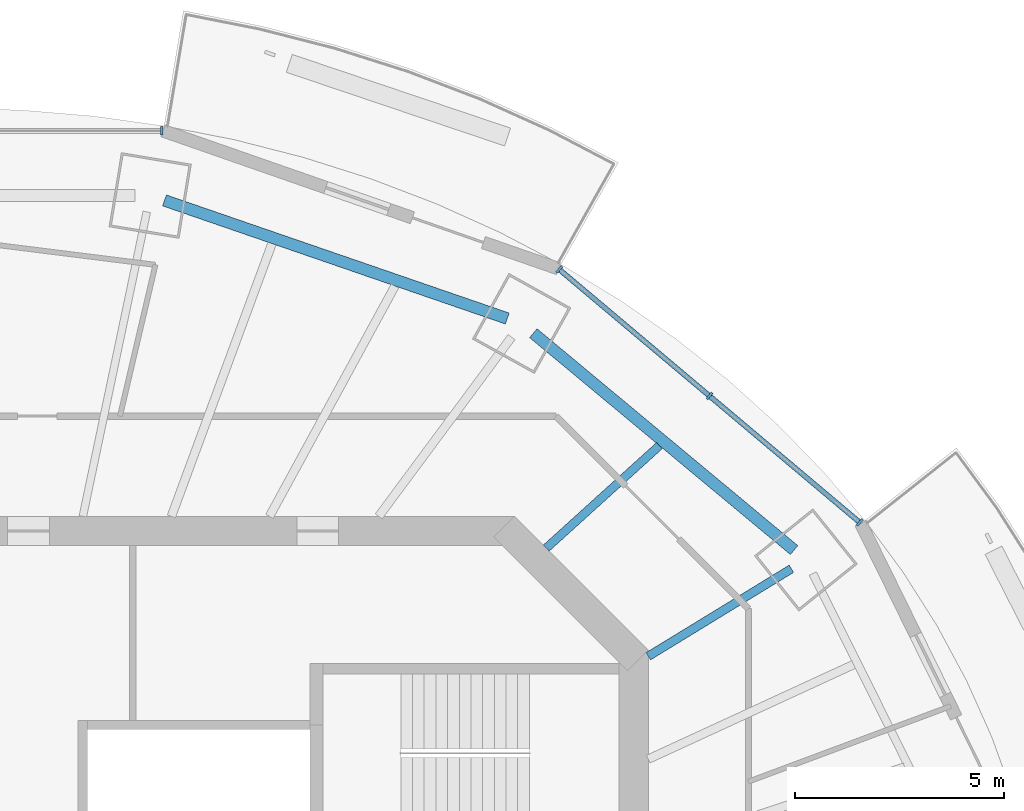
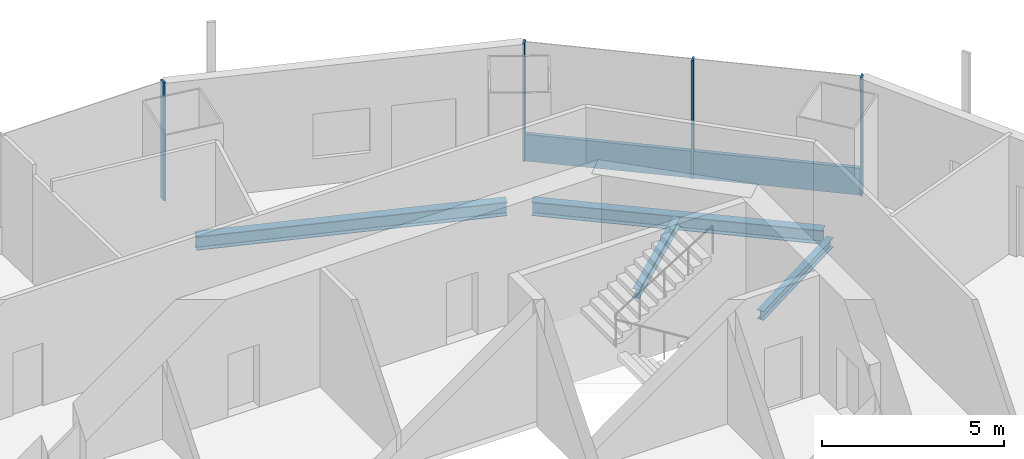
# One storey, part 6 of 16: 5 members, 4 beams, 2 elements without a shape of their own.
"""IFC4 building model written with IfcOpenShell, lengths in metres."""

from ifc_helpers import new_model, si_unit, direction, frame, origin, origin_2d, place, context, subcontext, project, spatial, rectangle, i_section, extrude, material, material_profile, profile_set, type_object, element, aggregate, save


model = new_model("IFC4")

# Units and contexts
model_context = context("Model", 3, precision=1e-05, world=origin(), true_north=direction((0.0, 1.0)))
body_context = subcontext(model_context, "Body", "Model", "MODEL_VIEW")
ifc_project = project(units=[si_unit("LENGTHUNIT", "METRE"), si_unit("AREAUNIT", "SQUARE_METRE"), si_unit("VOLUMEUNIT", "CUBIC_METRE"), si_unit("PLANEANGLEUNIT", "RADIAN"), si_unit("MASSUNIT", "GRAM", prefix="KILO")], contexts=[model_context])

# Site, building, storey
site_placement = place(None, origin())
site = spatial("IfcSite", under=ifc_project, at=site_placement, CompositionType="ELEMENT")
building_placement = place(site_placement, origin())
building = spatial("IfcBuilding", under=site, at=building_placement, Name="Marenthal Gate Tower", CompositionType="ELEMENT")
storey_placement = place(building_placement, frame((0.0, 0.0, 359.199951171875)))
storey = spatial("IfcBuildingStorey", under=building, at=storey_placement, Name="L81", CompositionType="ELEMENT", Elevation=359.199951171875)

# Curtain wall, members
ifc_material_1 = material(Name="Aluminium and glass", Category="aluminium")
curtain_wall_type = type_object("IfcCurtainWallType", Name="Curtain wall typical high", PredefinedType="NOTDEFINED", material=ifc_material_1)
curtain_wall_1_placement = place(storey_placement, origin())
curtain_wall_1 = element("IfcCurtainWall", 1, at=curtain_wall_1_placement, inside=storey, type_object=curtain_wall_type, Name="Curtain wall L81 bay 2", PredefinedType="NOTDEFINED")
ifc_material_2 = material(Name="Aluminium", Category="aluminium")
ifc_material_profile_1 = material_profile(ifc_material_2, rectangle(XDim=0.199951171875, YDim=0.06005859375, at=origin_2d()), Name="60x200 aluminium mullion")
ifc_profile_set_1 = profile_set([ifc_material_profile_1], Name="Aluminium")
member_type_1 = type_object("IfcMemberType", Name="Mullion 60x200 typical high", PredefinedType="MULLION", material=ifc_profile_set_1)
member_1_placement = place(storey_placement, frame((21.41552734375, 13.20361328125, 0.0), z_axis=(0.0, 0.0, 1.0), x_axis=(-0.644022605429, -0.765006459905, 0.0)))
member_1 = element("IfcMember", 2, at=member_1_placement, type_object=member_type_1, Name="Mullion L81 bay 2.1", PredefinedType="MULLION", context=body_context, shape_type="SweptSolid", body=[
    extrude(rectangle(XDim=0.199951171875, YDim=0.06005859375, at=origin_2d()), origin(), (0.0, 0.0, 1.0), 3.969970703125),
])
member_2_placement = place(storey_placement, frame((17.815185546875, 16.234375, 0.0), z_axis=(0.0, 0.0, 1.0), x_axis=(-0.644022605429, -0.765006459905, 0.0)))
member_2 = element("IfcMember", 3, at=member_2_placement, type_object=member_type_1, Name="Mullion L81 bay 2.2", PredefinedType="MULLION", context=body_context, shape_type="SweptSolid", body=[
    extrude(rectangle(XDim=0.199951171875, YDim=0.06005859375, at=origin_2d()), origin(), (0.0, 0.0, 1.0), 3.969970703125),
])
member_3_placement = place(storey_placement, frame((14.215087890625, 19.26513671875, 0.0), z_axis=(0.0, 0.0, 1.0), x_axis=(-0.644022605429, -0.765006459905, 0.0)))
member_3 = element("IfcMember", 4, at=member_3_placement, type_object=member_type_1, Name="Mullion L81 bay 2.3", PredefinedType="MULLION", context=body_context, shape_type="SweptSolid", body=[
    extrude(rectangle(XDim=0.199951171875, YDim=0.06005859375, at=origin_2d()), origin(), (0.0, 0.0, 1.0), 3.969970703125),
])

# Curtain wall, member
curtain_wall_2_placement = place(storey_placement, origin())
curtain_wall_2 = element("IfcCurtainWall", 5, at=curtain_wall_2_placement, inside=storey, type_object=curtain_wall_type, Name="Curtain wall L81 bay 4", PredefinedType="NOTDEFINED")
member_4_placement = place(storey_placement, frame((4.694091796875, 22.586181640625, 0.0), z_axis=(0.0, 0.0, 1.0), x_axis=(0.0, -1.0, 0.0)))
member_4 = element("IfcMember", 6, at=member_4_placement, type_object=member_type_1, Name="Mullion L81 bay 4.1", PredefinedType="MULLION", context=body_context, shape_type="SweptSolid", body=[
    extrude(rectangle(XDim=0.199951171875, YDim=0.06005859375, at=origin_2d()), origin(), (0.0, 0.0, 1.0), 3.969970703125),
])
aggregate(curtain_wall_2, [member_4])

# Member
ifc_material_3 = material(Name="Aluminium", Category="aluminium")
ifc_material_profile_2 = material_profile(ifc_material_3, rectangle(XDim=0.1201171875, YDim=0.89990234375, at=origin_2d()), Name="120x900 aluminium transom")
ifc_profile_set_2 = profile_set([ifc_material_profile_2], Name="Aluminium")
member_type_2 = type_object("IfcMemberType", Name="Transom 120x900 typical high", PredefinedType="USERDEFINED", material=ifc_profile_set_2)
member_5_placement = place(storey_placement, frame((21.392578125, 13.222900390625, 0.449951171875), z_axis=(-0.76501273232, 0.644015154626, 0.0), x_axis=(-0.644015154626, -0.76501273232, 0.0)))
member_5 = element("IfcMember", 7, at=member_5_placement, type_object=member_type_2, Name="Transom L81 bay 2", ObjectType="TRANSOM", PredefinedType="USERDEFINED", context=body_context, shape_type="SweptSolid", body=[
    extrude(rectangle(XDim=0.1201171875, YDim=0.89990234375, at=origin_2d()), origin(), (0.0, 0.0, 1.0), 9.352294921875),
])

aggregate(curtain_wall_1, [member_1, member_2, member_3, member_5])

# Beams
ifc_material_4 = material(Name="Steel S355", Category="steel")
ifc_material_profile_3 = material_profile(ifc_material_4, i_section(OverallWidth=0.202880859375, OverallDepth=0.302001953125, WebThickness=0.007568359375, FlangeThickness=0.01318359375, FilletRadius=0.0126953125, at=origin_2d()), Name="W310X60")
ifc_profile_set_3 = profile_set([ifc_material_profile_3], Name="Steel S355")
beam_type_1 = type_object("IfcBeamType", Name="W310X60 beam", PredefinedType="BEAM", material=ifc_profile_set_3)
beam_1_placement = place(storey_placement, frame((16.614990234375, 15.044189453125, -0.3310546875), z_axis=(-0.741262042513, -0.671215750954, 0.0), x_axis=(0.671215750954, -0.741262042513, 0.0)))
element("IfcBeam", 8, at=beam_1_placement, inside=storey, type_object=beam_type_1, Name="BM-L81-19", PredefinedType="BEAM", context=body_context, shape_type="SweptSolid", body=[
    extrude(i_section(OverallWidth=0.202880859375, OverallDepth=0.302001953125, WebThickness=0.007568359375, FlangeThickness=0.01318359375, FilletRadius=0.0126953125, at=origin_2d()), origin(), (0.0, 0.0, 1.0), 3.65625),
])
ifc_material_5 = material(Name="Steel S355", Category="steel")
ifc_material_profile_4 = material_profile(ifc_material_5, i_section(OverallWidth=0.205078125, OverallDepth=0.31005859375, WebThickness=0.009521484375, FlangeThickness=0.016357421875, FilletRadius=0.0126953125, at=origin_2d()), Name="W310X74")
ifc_profile_set_4 = profile_set([ifc_material_profile_4], Name="Steel S355")
beam_type_2 = type_object("IfcBeamType", Name="W310X74 beam", PredefinedType="BEAM", material=ifc_profile_set_4)
beam_2_placement = place(storey_placement, frame((19.77734375, 12.093994140625, -0.3349609375), z_axis=(-0.853113540312, -0.521725298731, 0.0), x_axis=(0.521725298731, -0.853113540312, 0.0)))
element("IfcBeam", 9, at=beam_2_placement, inside=storey, type_object=beam_type_2, Name="BM-L81-02", PredefinedType="BEAM", context=body_context, shape_type="SweptSolid", body=[
    extrude(i_section(OverallWidth=0.205078125, OverallDepth=0.31005859375, WebThickness=0.009521484375, FlangeThickness=0.016357421875, FilletRadius=0.0126953125, at=origin_2d()), origin(), (0.0, 0.0, 1.0), 4.017333984375),
])
ifc_material_6 = material(Name="Steel S355", Category="steel")
ifc_material_profile_5 = material_profile(ifc_material_6, i_section(OverallWidth=0.279052734375, OverallDepth=0.4619140625, WebThickness=0.0107421875, FlangeThickness=0.017333984375, FilletRadius=0.010009765625, at=origin_2d()), Name="W460X113")
ifc_profile_set_5 = profile_set([ifc_material_profile_5], Name="Steel S355")
beam_type_3 = type_object("IfcBeamType", Name="W460X113 beam", PredefinedType="BEAM", material=ifc_profile_set_5)
beam_3_placement = place(storey_placement, frame((19.84228515625, 12.541259765625, -0.410888671875), z_axis=(-0.768814455902, 0.639471916816, 0.0), x_axis=(-0.639471916816, -0.768814455902, 0.0)))
element("IfcBeam", 10, at=beam_3_placement, inside=storey, type_object=beam_type_3, Name="BM-L81-40", PredefinedType="BEAM", context=body_context, shape_type="SweptSolid", body=[
    extrude(i_section(OverallWidth=0.279052734375, OverallDepth=0.4619140625, WebThickness=0.0107421875, FlangeThickness=0.017333984375, FilletRadius=0.010009765625, at=origin_2d()), origin(), (0.0, 0.0, 1.0), 8.1259765625),
])
beam_4_placement = place(storey_placement, frame((12.970703125, 18.089111328125, -0.410888671875), z_axis=(-0.94545359895, 0.32575679921, 0.0), x_axis=(-0.32575679921, -0.94545359895, 0.0)))
element("IfcBeam", 11, at=beam_4_placement, inside=storey, type_object=beam_type_3, Name="BM-L81-41", PredefinedType="BEAM", context=body_context, shape_type="SweptSolid", body=[
    extrude(i_section(OverallWidth=0.279052734375, OverallDepth=0.4619140625, WebThickness=0.0107421875, FlangeThickness=0.017333984375, FilletRadius=0.010009765625, at=origin_2d()), origin(), (0.0, 0.0, 1.0), 8.686279296875),
])

save(model, "model.ifc")
